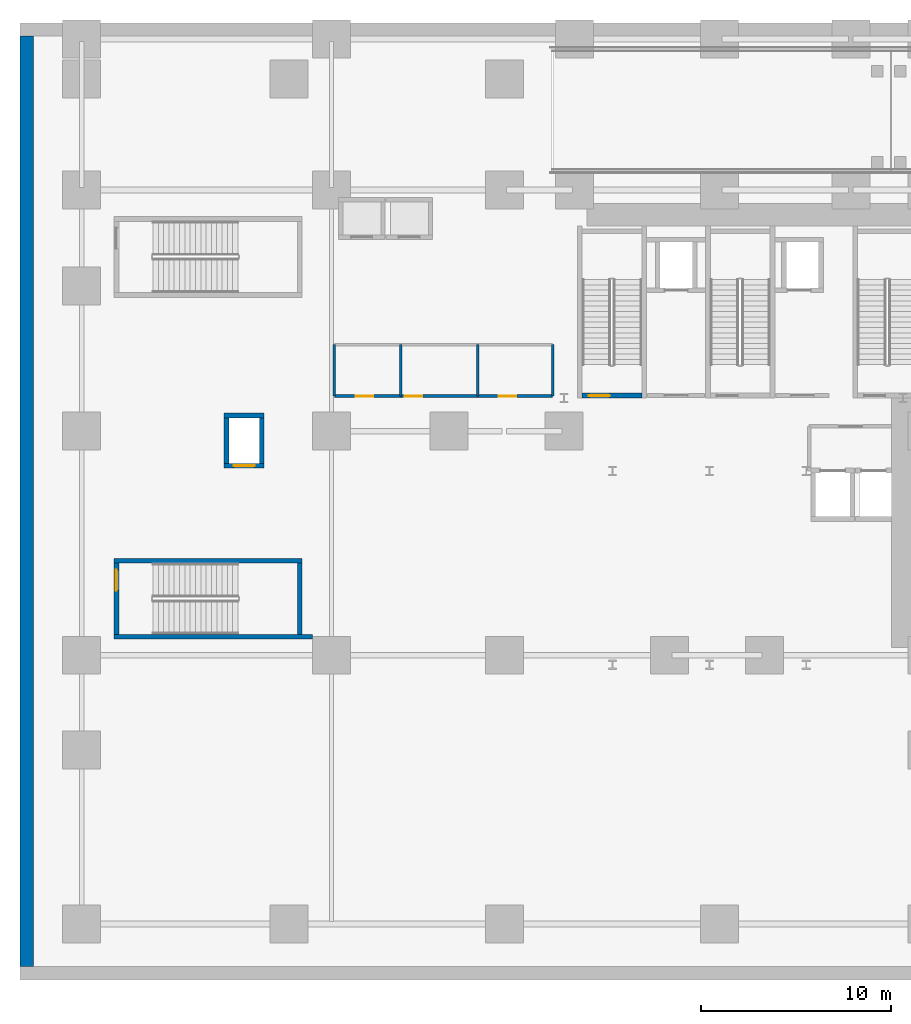
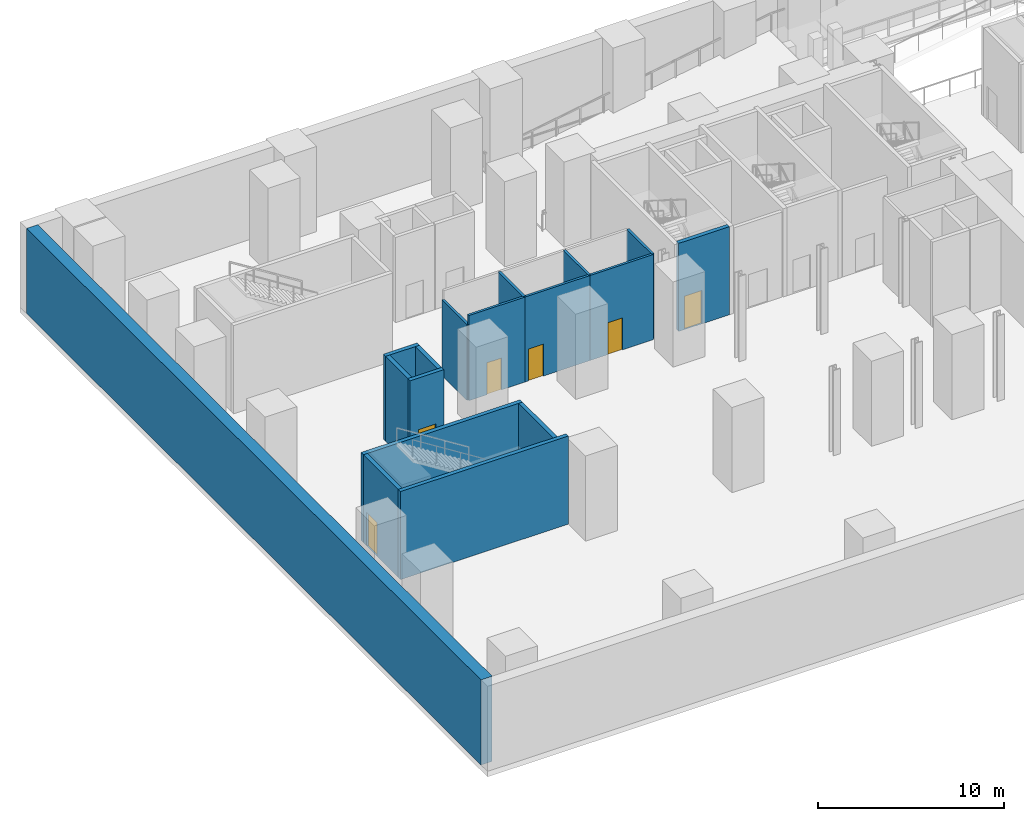
# One storey, part 4 of 16: 17 walls, 6 doors, 6 openings.
"""IFC4 building model written with IfcOpenShell, lengths in metres."""

import ifcopenshell
import ifcopenshell.guid

model = None  # the IFC model being written
_history = None  # IfcOwnerHistory: only IFC2X3 demands one
_inside = {}  # id of a spatial element -> (the spatial element, [elements in it])
_under = {}  # id of a project, library or spatial element -> (it, [spatial elements below it])
_declared = {}  # id of a project -> (the project, [libraries it declares])
_typed = {}  # id of a type object -> (the type object, [elements of that type])
_made_of = {}  # id of a material, layer set ... -> (it, [elements and type objects made of it])


def new_model(schema):
    """Start an empty IFC model of exactly this schema.

    Asked for "IFC4X3", IfcOpenShell would pick the latest addendum, in which some entities
    have other attributes; the version numbers below select the first issue.
    IFC2X3 requires an IfcOwnerHistory on every rooted entity: one is made here for all.
    """
    global model, _history
    if schema == "IFC4X3":
        model = ifcopenshell.file(schema_version=(4, 3, 0, 0))
    else:
        model = ifcopenshell.file(schema=schema)
    _inside.clear()
    _under.clear()
    _declared.clear()
    _typed.clear()
    _made_of.clear()
    _history = None
    if model.schema == "IFC2X3":
        org = make("IfcOrganization", Name="unknown")
        user = make(
            "IfcPersonAndOrganization",
            ThePerson=make("IfcPerson", FamilyName="unknown"),
            TheOrganization=org,
        )
        app = make(
            "IfcApplication",
            ApplicationDeveloper=org,
            Version="unknown",
            ApplicationFullName="unknown",
            ApplicationIdentifier="unknown",
        )
        _history = make(
            "IfcOwnerHistory",
            OwningUser=user,
            OwningApplication=app,
            ChangeAction="ADDED",
            CreationDate=0,
        )
    return model


def make(cls, **values):
    """One entity of the class cls with the attributes given. An attribute that is None is left unset."""
    return model.create_entity(
        cls, **{name: value for name, value in values.items() if value is not None}
    )


def rooted(cls, **values):
    """An entity with a GlobalId (a new one), such as an element, a storey or a relation."""
    return make(cls, GlobalId=ifcopenshell.guid.new(), OwnerHistory=_history, **values)


def si_unit(unit_type, name, prefix=None):
    """IfcSIUnit, for example si_unit("LENGTHUNIT", "METRE", prefix="MILLI")."""
    return make("IfcSIUnit", UnitType=unit_type, Prefix=prefix, Name=name)


def assignment(units):
    """IfcUnitAssignment: the units of a project."""
    return None if units is None else make("IfcUnitAssignment", Units=units)


def point(xyz):
    """IfcCartesianPoint."""
    return None if xyz is None else make("IfcCartesianPoint", Coordinates=xyz)


def direction(xyz):
    """IfcDirection."""
    return None if xyz is None else make("IfcDirection", DirectionRatios=xyz)


def frame(location, z_axis=None, x_axis=None):
    """IfcAxis2Placement3D, a coordinate frame: its origin and axes. An axis left out is left unset."""
    return make(
        "IfcAxis2Placement3D",
        Location=point(location),
        Axis=direction(z_axis),
        RefDirection=direction(x_axis),
    )


def frame_2d(location, x_axis=None):
    """IfcAxis2Placement2D, a coordinate frame in the plane: its origin and x axis."""
    return make(
        "IfcAxis2Placement2D", Location=point(location), RefDirection=direction(x_axis)
    )


def origin():
    """The frame at (0, 0, 0) with its axes left unset."""
    return frame((0.0, 0.0, 0.0))


def place(relative_to, where):
    """IfcLocalPlacement: puts the frame where relative to a parent placement (None: the world)."""
    return make(
        "IfcLocalPlacement", PlacementRelTo=relative_to, RelativePlacement=where
    )


def context(
    kind, dimensions, precision=None, world=None, true_north=None, identifier=None
):
    """IfcGeometricRepresentationContext, for example the 3D "Model" context."""
    return make(
        "IfcGeometricRepresentationContext",
        ContextIdentifier=identifier,
        ContextType=kind,
        CoordinateSpaceDimension=dimensions,
        Precision=precision,
        WorldCoordinateSystem=world,
        TrueNorth=true_north,
    )


def subcontext(parent, identifier, kind, view, scale=None):
    """IfcGeometricRepresentationSubContext, for example "Body" below "Model"."""
    return make(
        "IfcGeometricRepresentationSubContext",
        ContextIdentifier=identifier,
        ContextType=kind,
        ParentContext=parent,
        TargetScale=scale,
        TargetView=view,
    )


def project(units=None, contexts=None):
    """IfcProject with its units and contexts."""
    return rooted(
        "IfcProject",
        Name="project",
        RepresentationContexts=contexts,
        UnitsInContext=assignment(units),
    )


def spatial(cls, under=None, at=None, **own):
    """A site, building, storey or space (cls), placed at a placement, below another one or the project."""
    s = rooted(cls, ObjectPlacement=at, **own)
    if under is not None:
        _under.setdefault(under.id(), (under, []))[1].append(s)
    return s


def profile(cls, at=None, kind="AREA", **sizes):
    """A parametric profile (cls). Its sizes go by their IFC names, for example OverallWidth=200.0."""
    return make(cls, ProfileType=kind, Position=at, **sizes)


def rectangle(**sizes):
    """IfcRectangleProfileDef."""
    return profile("IfcRectangleProfileDef", **sizes)


def extrude(swept, where, along, depth):
    """IfcExtrudedAreaSolid: the profile swept, set in the frame where, extruded along a direction by depth."""
    return make(
        "IfcExtrudedAreaSolid",
        SweptArea=swept,
        Position=where,
        ExtrudedDirection=direction(along),
        Depth=depth,
    )


def shape(context_of_items, identifier, shape_type, items):
    """IfcShapeRepresentation: the items that make up one representation, for example the "Body"."""
    return make(
        "IfcShapeRepresentation",
        ContextOfItems=context_of_items,
        RepresentationIdentifier=identifier,
        RepresentationType=shape_type,
        Items=items,
    )


def source(mapping_origin, context_of_items, identifier, shape_type, items):
    """IfcRepresentationMap: a shape defined once, which mapped items show again and again."""
    return make(
        "IfcRepresentationMap",
        MappingOrigin=mapping_origin,
        MappedRepresentation=shape(context_of_items, identifier, shape_type, items),
    )


def transform(
    local_origin,
    x_axis=None,
    y_axis=None,
    z_axis=None,
    scale=None,
    scale2=None,
    scale3=None,
    uniform=True,
):
    """IfcCartesianTransformationOperator3D, or its non-uniform kind. x_axis, y_axis, z_axis: its Axis1, 2, 3."""
    if uniform:
        return make(
            "IfcCartesianTransformationOperator3D",
            Axis1=direction(x_axis),
            Axis2=direction(y_axis),
            LocalOrigin=point(local_origin),
            Scale=scale,
            Axis3=direction(z_axis),
        )
    return make(
        "IfcCartesianTransformationOperator3DnonUniform",
        Axis1=direction(x_axis),
        Axis2=direction(y_axis),
        LocalOrigin=point(local_origin),
        Scale=scale,
        Axis3=direction(z_axis),
        Scale2=scale2,
        Scale3=scale3,
    )


def mapped(mapping_source, mapping_target):
    """IfcMappedItem: shows the shape of a source again, moved by a transform."""
    return make(
        "IfcMappedItem", MappingSource=mapping_source, MappingTarget=mapping_target
    )


def material(Name=None, Category=None):
    """IfcMaterial."""
    return make("IfcMaterial", Name=Name, Category=Category)


def layer(
    of_material, thickness, ventilated=None, Name=None, Category=None, Priority=None
):
    """IfcMaterialLayer: one layer of a wall or slab, of a material (None: an air gap)."""
    return make(
        "IfcMaterialLayer",
        Material=of_material,
        LayerThickness=thickness,
        IsVentilated=ventilated,
        Name=Name,
        Category=Category,
        Priority=Priority,
    )


def layer_set(layers, Name=None):
    """IfcMaterialLayerSet."""
    return make("IfcMaterialLayerSet", MaterialLayers=layers, LayerSetName=Name)


def made_of(thing, what):
    """Note that an element or type object is made of a material, layer set ...; save() writes the relation."""
    if what is not None:
        _made_of.setdefault(what.id(), (what, []))[1].append(thing)
    return thing


def type_object(cls, material=None, **own):
    """A type object (cls), such as IfcWallType, which elements share."""
    return made_of(rooted(cls, **own), material)


def element(
    cls,
    number,
    at=None,
    inside=None,
    cuts=None,
    type_object=None,
    material=None,
    context=None,
    identifier="Body",
    shape_type=None,
    held_by="IfcProductDefinitionShape",
    body=None,
    shapes=None,
    **own,
):
    """One element of the class cls, such as IfcWall. Its Tag is "e" and its number.

    at: its placement. inside: the storey or other place that contains it. cuts: it is an
    opening in that element (IfcRelVoidsElement). A single representation is given by context,
    identifier, shape_type and body (its items); several are given by shapes. held_by: the class
    of the entity that holds the representations. save() writes the other relations.
    """
    e = rooted(cls, Tag="e%d" % number, ObjectPlacement=at, **own)
    if body is not None:
        shapes = [shape(context, identifier, shape_type, body)]
    if shapes is not None:
        e.Representation = make(held_by, Representations=shapes)
    if inside is not None:
        _inside.setdefault(inside.id(), (inside, []))[1].append(e)
    if cuts is not None:
        rooted(
            "IfcRelVoidsElement", RelatingBuildingElement=cuts, RelatedOpeningElement=e
        )
    if type_object is not None:
        _typed.setdefault(type_object.id(), (type_object, []))[1].append(e)
    return made_of(e, material)


def fill(opening, filler):
    """IfcRelFillsElement: the door or window that sits in an opening."""
    return rooted(
        "IfcRelFillsElement",
        RelatingOpeningElement=opening,
        RelatedBuildingElement=filler,
    )


def aggregate(whole, parts):
    """IfcRelAggregates: a whole, such as a stair, and the parts it consists of."""
    return rooted("IfcRelAggregates", RelatingObject=whole, RelatedObjects=parts)


def save(model, path):
    """Write the relations noted so far, then the file.

    IfcRelAggregates (storeys below a building ...), IfcRelContainedInSpatialStructure (elements
    in a storey), IfcRelDefinesByType, IfcRelAssociatesMaterial and IfcRelDeclares: one each for
    every whole, place, type object, material and project.
    """
    for whole, parts in _under.values():
        aggregate(whole, parts)
    for where, things in _inside.values():
        rooted(
            "IfcRelContainedInSpatialStructure",
            RelatedElements=things,
            RelatingStructure=where,
        )
    for kind, things in _typed.values():
        rooted("IfcRelDefinesByType", RelatedObjects=things, RelatingType=kind)
    for what, things in _made_of.values():
        rooted("IfcRelAssociatesMaterial", RelatedObjects=things, RelatingMaterial=what)
    for by, libraries in _declared.values():
        rooted("IfcRelDeclares", RelatingContext=by, RelatedDefinitions=libraries)
    model.write(path)


model = new_model("IFC4")

# Units and contexts
model_context = context("Model", 3, precision=1e-05, world=origin(), true_north=direction((0.0, 1.0)))
body_context = subcontext(model_context, "Body", "Model", "MODEL_VIEW")
ifc_project = project(units=[si_unit("LENGTHUNIT", "METRE"), si_unit("AREAUNIT", "SQUARE_METRE"), si_unit("VOLUMEUNIT", "CUBIC_METRE"), si_unit("PLANEANGLEUNIT", "RADIAN"), si_unit("MASSUNIT", "GRAM", prefix="KILO")], contexts=[model_context])

# Site, building, storey
site_placement = place(None, origin())
site = spatial("IfcSite", under=ifc_project, at=site_placement, CompositionType="ELEMENT")
building_placement = place(site_placement, origin())
building = spatial("IfcBuilding", under=site, at=building_placement, Name="Vardaveli Station Tower", CompositionType="ELEMENT")
storey_placement = place(building_placement, frame((0.0, 0.0, -6.0)))
storey = spatial("IfcBuildingStorey", under=building, at=storey_placement, Name="B01", CompositionType="ELEMENT", Elevation=-6.0)

# Wall
ifc_material_1 = material(Name="Concrete C40/50", Category="concrete")
ifc_layer_1 = layer(ifc_material_1, 0.699951171875, Name="Concrete C40/50")
ifc_layer_set_1 = layer_set([ifc_layer_1], Name="Concrete C40/50")
wall_type_1 = type_object("IfcWallType", Name="WAL-RET-700", PredefinedType="SOLIDWALL", material=ifc_layer_set_1)
shared_shape_1 = source(origin(), body_context, "Body", "SweptSolid", [
    extrude(rectangle(XDim=49.0, YDim=0.699951171875, at=frame_2d((24.5, 0.0))), origin(), (0.0, 0.0, 1.0), 5.60009765625),
])
wall_1_placement = place(storey_placement, frame((0.35009765625, 0.699951171875, 0.0), z_axis=(0.0, 0.0, 1.0), x_axis=(0.0, 1.0, 0.0)))
element("IfcWall", 1, at=wall_1_placement, inside=storey, type_object=wall_type_1, Name="BW-B01-W", PredefinedType="SOLIDWALL", context=body_context, shape_type="MappedRepresentation", body=[
    mapped(shared_shape_1, transform((0.0, 0.0, 0.0), scale=1.0)),
])

# Wall, opening, door
ifc_layer_2 = layer(ifc_material_1, 0.25, Name="Concrete C40/50")
ifc_layer_set_2 = layer_set([ifc_layer_2], Name="Concrete C40/50")
wall_type_2 = type_object("IfcWallType", Name="WAL-SHAFT-250", PredefinedType="SOLIDWALL", material=ifc_layer_set_2)
shared_shape_2 = source(origin(), body_context, "Body", "SweptSolid", [
    extrude(rectangle(XDim=3.14990234375, YDim=0.25, at=frame_2d((1.574951171875, 0.0))), origin(), (0.0, 0.0, 1.0), 5.800048828125),
])
wall_2_placement = place(storey_placement, frame((29.60009765625, 30.77490234375, 0.0), z_axis=(0.0, 0.0, 1.0), x_axis=(1.0, 0.0, 0.0)))
wall_2 = element("IfcWall", 2, at=wall_2_placement, inside=storey, type_object=wall_type_2, Name="W-B01-ST-1S", PredefinedType="SOLIDWALL", context=body_context, shape_type="MappedRepresentation", body=[
    mapped(shared_shape_2, transform((0.0, 0.0, 0.0), scale=1.0)),
])
shared_shape_3 = source(origin(), body_context, "Body", "SweptSolid", [
    extrude(rectangle(XDim=1.10009765625, YDim=2.199951171875, at=frame_2d((0.550048828125, 1.10009765625))), frame((0.0, 0.135009765625, 0.0), z_axis=(0.0, -1.0, 0.0), x_axis=(1.0, 0.0, 0.0)), (0.0, 0.0, 1.0), 0.27001953125),
])
opening_1_placement = place(wall_2_placement, frame((0.35009765625, 0.0, 0.0)))
opening_1 = element("IfcOpeningElement", 3, at=opening_1_placement, cuts=wall_2, Name="Opening D-04", PredefinedType="OPENING", context=body_context, shape_type="MappedRepresentation", body=[
    mapped(shared_shape_3, transform((0.0, 0.0, 0.0), scale=1.0)),
])
ifc_material_2 = material(Name="Steel smokeproof fire doorset", Category="steel")
door_type_1 = type_object("IfcDoorType", Name="DR-ST-1100x2200", OperationType="NOTDEFINED", PredefinedType="DOOR", material=ifc_material_2)
shared_shape_4 = source(origin(), body_context, "Body", "SweptSolid", [
    extrude(rectangle(XDim=1.10009765625, YDim=2.199951171875, at=frame_2d((0.550048828125, 1.10009765625))), frame((0.0, 0.02490234375, 0.0), z_axis=(0.0, -1.0, 0.0), x_axis=(1.0, 0.0, 0.0)), (0.0, 0.0, 1.0), 0.050048828125),
])
door_1_placement = place(opening_1_placement, origin())
door_1 = element("IfcDoor", 4, at=door_1_placement, inside=storey, type_object=door_type_1, Name="DST-1-B01", OperationType="SINGLE_SWING_LEFT", OverallHeight=2.199951171875, OverallWidth=1.10009765625, PredefinedType="DOOR", context=body_context, shape_type="MappedRepresentation", body=[
    mapped(shared_shape_4, transform((0.0, 0.0, 0.0), scale=1.0)),
])
fill(opening_1, door_1)

# Walls
shared_shape_5 = source(origin(), body_context, "Body", "SweptSolid", [
    extrude(rectangle(XDim=10.449951171875, YDim=0.25, at=frame_2d((5.22509765625, 0.0))), origin(), (0.0, 0.0, 1.0), 5.800048828125),
])
wall_3_placement = place(storey_placement, frame((4.949951171875, 18.074951171875, 0.0), z_axis=(0.0, 0.0, 1.0), x_axis=(1.0, 0.0, 0.0)))
element("IfcWall", 5, at=wall_3_placement, inside=storey, type_object=wall_type_2, Name="W-B01-ST-S1S", PredefinedType="SOLIDWALL", context=body_context, shape_type="MappedRepresentation", body=[
    mapped(shared_shape_5, transform((0.0, 0.0, 0.0), scale=1.0)),
])
shared_shape_6 = source(origin(), body_context, "Body", "SweptSolid", [
    extrude(rectangle(XDim=9.900146484375, YDim=0.25, at=frame_2d((4.9501953125, 0.0))), origin(), (0.0, 0.0, 1.0), 5.800048828125),
])
wall_4_placement = place(storey_placement, frame((4.949951171875, 22.074951171875, 0.0), z_axis=(0.0, 0.0, 1.0), x_axis=(1.0, 0.0, 0.0)))
element("IfcWall", 6, at=wall_4_placement, inside=storey, type_object=wall_type_2, Name="W-B01-ST-S1N", PredefinedType="SOLIDWALL", context=body_context, shape_type="MappedRepresentation", body=[
    mapped(shared_shape_6, transform((0.0, 0.0, 0.0), scale=1.0)),
])
shared_shape_7 = source(origin(), body_context, "Body", "SweptSolid", [
    extrude(rectangle(XDim=3.75, YDim=0.25, at=frame_2d((1.875, 0.0))), origin(), (0.0, 0.0, 1.0), 5.800048828125),
])
wall_5_placement = place(storey_placement, frame((14.72509765625, 18.199951171875, 0.0), z_axis=(0.0, 0.0, 1.0), x_axis=(0.0, 1.0, 0.0)))
element("IfcWall", 7, at=wall_5_placement, inside=storey, type_object=wall_type_2, Name="W-B01-ST-S1E", PredefinedType="SOLIDWALL", context=body_context, shape_type="MappedRepresentation", body=[
    mapped(shared_shape_7, transform((0.0, 0.0, 0.0), scale=1.0)),
])

# Wall, opening, door
wall_6_placement = place(storey_placement, frame((5.074951171875, 18.199951171875, 0.0), z_axis=(0.0, 0.0, 1.0), x_axis=(0.0, 1.0, 0.0)))
wall_6 = element("IfcWall", 8, at=wall_6_placement, inside=storey, type_object=wall_type_2, Name="W-B01-ST-S1W", PredefinedType="SOLIDWALL", context=body_context, shape_type="MappedRepresentation", body=[
    mapped(shared_shape_7, transform((0.0, 0.0, 0.0), scale=1.0)),
])
opening_2_placement = place(wall_6_placement, frame((2.300048828125, 0.0, 0.0)))
opening_2 = element("IfcOpeningElement", 9, at=opening_2_placement, cuts=wall_6, Name="Opening D-04", PredefinedType="OPENING", context=body_context, shape_type="MappedRepresentation", body=[
    mapped(shared_shape_3, transform((0.0, 0.0, 0.0), scale=1.0)),
])
door_2_placement = place(opening_2_placement, origin())
door_2 = element("IfcDoor", 10, at=door_2_placement, inside=storey, type_object=door_type_1, Name="DST-S1-B01", OperationType="SINGLE_SWING_RIGHT", OverallHeight=2.199951171875, OverallWidth=1.10009765625, PredefinedType="DOOR", context=body_context, shape_type="MappedRepresentation", body=[
    mapped(shared_shape_4, transform((0.0, 0.0, 0.0), scale=1.0)),
])
fill(opening_2, door_2)

shared_shape_8 = source(origin(), body_context, "Body", "SweptSolid", [
    extrude(rectangle(XDim=2.10009765625, YDim=0.25, at=frame_2d((1.050048828125, 0.0))), origin(), (0.0, 0.0, 1.0), 5.60009765625),
])
wall_7_placement = place(storey_placement, frame((10.75, 27.074951171875, 0.0), z_axis=(0.0, 0.0, 1.0), x_axis=(1.0, 0.0, 0.0)))
wall_7 = element("IfcWall", 11, at=wall_7_placement, inside=storey, type_object=wall_type_2, Name="SHW-STN-01-B01-S", PredefinedType="SOLIDWALL", context=body_context, shape_type="MappedRepresentation", body=[
    mapped(shared_shape_8, transform((0.0, 0.0, 0.0), scale=1.0)),
])
opening_3_placement = place(wall_7_placement, frame((0.5, 0.0, 0.0)))
opening_3 = element("IfcOpeningElement", 12, at=opening_3_placement, cuts=wall_7, Name="Opening LD-01", PredefinedType="OPENING", context=body_context, shape_type="MappedRepresentation", body=[
    mapped(shared_shape_3, transform((0.0, 0.0, 0.0), scale=1.0)),
])
ifc_material_3 = material(Name="Brushed stainless steel", Category="steel")
door_type_2 = type_object("IfcDoorType", Name="DR-LD-1100x2200", OperationType="DOUBLE_DOOR_SLIDING", PredefinedType="DOOR", material=ifc_material_3)
door_3_placement = place(opening_3_placement, origin())
door_3 = element("IfcDoor", 13, at=door_3_placement, inside=storey, type_object=door_type_2, Name="LD-STN-01-B01", OperationType="DOUBLE_DOOR_SLIDING", OverallHeight=2.199951171875, OverallWidth=1.10009765625, PredefinedType="DOOR", context=body_context, shape_type="MappedRepresentation", body=[
    mapped(shared_shape_4, transform((0.0, 0.0, 0.0), scale=1.0)),
])
fill(opening_3, door_3)

# Walls
wall_8_placement = place(storey_placement, frame((10.75, 29.72509765625, 0.0), z_axis=(0.0, 0.0, 1.0), x_axis=(1.0, 0.0, 0.0)))
element("IfcWall", 14, at=wall_8_placement, inside=storey, type_object=wall_type_2, Name="SHW-STN-01-B01-N", PredefinedType="SOLIDWALL", context=body_context, shape_type="MappedRepresentation", body=[
    mapped(shared_shape_8, transform((0.0, 0.0, 0.0), scale=1.0)),
])
shared_shape_9 = source(origin(), body_context, "Body", "SweptSolid", [
    extrude(rectangle(XDim=2.400146484375, YDim=0.25, at=frame_2d((1.2001953125, 0.0))), origin(), (0.0, 0.0, 1.0), 5.60009765625),
])
for number, where, z_axis, x_axis, name in (
    (15, (10.875, 27.199951171875, 0.0), (0.0, 0.0, 1.0), (0.0, 1.0, 0.0), "SHW-STN-01-B01-W"),
    (16, (12.72509765625, 27.199951171875, 0.0), (0.0, 0.0, 1.0), (0.0, 1.0, 0.0), "SHW-STN-01-B01-E"),
):
    element("IfcWall", number, at=place(storey_placement, frame(where, z_axis=z_axis, x_axis=x_axis)), inside=storey, type_object=wall_type_2, Name=name, PredefinedType="SOLIDWALL", context=body_context, shape_type="MappedRepresentation", body=[
        mapped(shared_shape_9, transform((0.0, 0.0, 0.0), scale=1.0)),
    ])

# Wall, opening, door
ifc_material_4 = material(Name="Moisture-resistant stud partition")
ifc_layer_3 = layer(ifc_material_4, 0.14990234375, Name="Moisture-resistant stud partition")
ifc_layer_set_3 = layer_set([ifc_layer_3], Name="Moisture-resistant stud partition")
wall_type_3 = type_object("IfcWallType", Name="WAL-WET-150", PredefinedType="PARTITIONING", material=ifc_layer_set_3)
shared_shape_10 = source(origin(), body_context, "Body", "SweptSolid", [
    extrude(rectangle(XDim=4.050048828125, YDim=0.14990234375, at=frame_2d((2.02490234375, 0.0))), origin(), (0.0, 0.0, 1.0), 5.60009765625),
])
wall_9_placement = place(storey_placement, frame((20.050048828125, 30.75, 0.0), z_axis=(0.0, 0.0, 1.0), x_axis=(1.0, 0.0, 0.0)))
wall_9 = element("IfcWall", 17, at=wall_9_placement, inside=storey, type_object=wall_type_3, Name="W-B01-WCM-S", PredefinedType="PARTITIONING", context=body_context, shape_type="MappedRepresentation", body=[
    mapped(shared_shape_10, transform((0.0, 0.0, 0.0), scale=1.0)),
])
shared_shape_11 = source(origin(), body_context, "Body", "SweptSolid", [
    extrude(rectangle(XDim=0.919921875, YDim=2.10009765625, at=frame_2d((0.4599609375, 1.050048828125))), frame((0.0, 0.0849609375, 0.0), z_axis=(0.0, -1.0, 0.0), x_axis=(1.0, 0.0, 0.0)), (0.0, 0.0, 1.0), 0.169921875),
])
opening_4_placement = place(wall_9_placement, frame((0.219970703125, 0.0, 0.0)))
opening_4 = element("IfcOpeningElement", 18, at=opening_4_placement, cuts=wall_9, Name="Opening D-07", PredefinedType="OPENING", context=body_context, shape_type="MappedRepresentation", body=[
    mapped(shared_shape_11, transform((0.0, 0.0, 0.0), scale=1.0)),
])
ifc_material_5 = material(Name="Moisture-resistant hardwood door", Category="wood")
door_type_3 = type_object("IfcDoorType", Name="DR-WC-920x2100", OperationType="NOTDEFINED", PredefinedType="DOOR", material=ifc_material_5)
shared_shape_12 = source(origin(), body_context, "Body", "SweptSolid", [
    extrude(rectangle(XDim=0.919921875, YDim=2.10009765625, at=frame_2d((0.4599609375, 1.050048828125))), frame((0.0, 0.02490234375, 0.0), z_axis=(0.0, -1.0, 0.0), x_axis=(1.0, 0.0, 0.0)), (0.0, 0.0, 1.0), 0.050048828125),
])
door_4_placement = place(opening_4_placement, origin())
door_4 = element("IfcDoor", 19, at=door_4_placement, inside=storey, type_object=door_type_3, Name="D-B01-WCM", OperationType="SINGLE_SWING_RIGHT", OverallHeight=2.10009765625, OverallWidth=0.919921875, PredefinedType="DOOR", context=body_context, shape_type="MappedRepresentation", body=[
    mapped(shared_shape_12, transform((0.0, 0.0, 0.0), scale=1.0)),
])
fill(opening_4, door_4)

shared_shape_13 = source(origin(), body_context, "Body", "SweptSolid", [
    extrude(rectangle(XDim=3.949951171875, YDim=0.14990234375, at=frame_2d((1.97509765625, 0.0))), origin(), (0.0, 0.0, 1.0), 5.60009765625),
])
wall_10_placement = place(storey_placement, frame((24.10009765625, 30.75, 0.0), z_axis=(0.0, 0.0, 1.0), x_axis=(1.0, 0.0, 0.0)))
wall_10 = element("IfcWall", 20, at=wall_10_placement, inside=storey, type_object=wall_type_3, Name="W-B01-WCF-S", PredefinedType="PARTITIONING", context=body_context, shape_type="MappedRepresentation", body=[
    mapped(shared_shape_13, transform((0.0, 0.0, 0.0), scale=1.0)),
])
opening_5_placement = place(wall_10_placement, frame((1.10009765625, 0.0, 0.0)))
opening_5 = element("IfcOpeningElement", 21, at=opening_5_placement, cuts=wall_10, Name="Opening D-07", PredefinedType="OPENING", context=body_context, shape_type="MappedRepresentation", body=[
    mapped(shared_shape_11, transform((0.0, 0.0, 0.0), scale=1.0)),
])
door_5_placement = place(opening_5_placement, origin())
door_5 = element("IfcDoor", 22, at=door_5_placement, inside=storey, type_object=door_type_3, Name="D-B01-WCF", OperationType="SINGLE_SWING_LEFT", OverallHeight=2.10009765625, OverallWidth=0.919921875, PredefinedType="DOOR", context=body_context, shape_type="MappedRepresentation", body=[
    mapped(shared_shape_12, transform((0.0, 0.0, 0.0), scale=1.0)),
])
fill(opening_5, door_5)

shared_shape_14 = source(origin(), body_context, "Body", "SweptSolid", [
    extrude(rectangle(XDim=3.5, YDim=0.14990234375, at=frame_2d((1.75, 0.0))), origin(), (0.0, 0.0, 1.0), 5.60009765625),
])
wall_11_placement = place(storey_placement, frame((16.550048828125, 30.75, 0.0), z_axis=(0.0, 0.0, 1.0), x_axis=(1.0, 0.0, 0.0)))
wall_11 = element("IfcWall", 23, at=wall_11_placement, inside=storey, type_object=wall_type_3, Name="W-B01-WCA-S", PredefinedType="PARTITIONING", context=body_context, shape_type="MappedRepresentation", body=[
    mapped(shared_shape_14, transform((0.0, 0.0, 0.0), scale=1.0)),
])
opening_6_placement = place(wall_11_placement, frame((1.1201171875, 0.0, 0.0)))
opening_6 = element("IfcOpeningElement", 24, at=opening_6_placement, cuts=wall_11, Name="Opening D-07", PredefinedType="OPENING", context=body_context, shape_type="MappedRepresentation", body=[
    mapped(shared_shape_11, transform((0.0, 0.0, 0.0), scale=1.0)),
])
door_6_placement = place(opening_6_placement, origin())
door_6 = element("IfcDoor", 25, at=door_6_placement, inside=storey, type_object=door_type_3, Name="D-B01-WCA", OperationType="SINGLE_SWING_RIGHT", OverallHeight=2.10009765625, OverallWidth=0.919921875, PredefinedType="DOOR", context=body_context, shape_type="MappedRepresentation", body=[
    mapped(shared_shape_12, transform((0.0, 0.0, 0.0), scale=1.0)),
])
fill(opening_6, door_6)

# Walls
shared_shape_15 = source(origin(), body_context, "Body", "SweptSolid", [
    extrude(rectangle(XDim=2.699951171875, YDim=0.14990234375, at=frame_2d((1.35009765625, 0.0))), origin(), (0.0, 0.0, 1.0), 4.991943359375),
])
wall_12_placement = place(storey_placement, frame((16.550048828125, 30.75, 0.0), z_axis=(0.0, 0.0, 1.0), x_axis=(0.0, 1.0, 0.0)))
element("IfcWall", 26, at=wall_12_placement, inside=storey, type_object=wall_type_3, Name="W-B01-WCA-W", PredefinedType="PARTITIONING", context=body_context, shape_type="MappedRepresentation", body=[
    mapped(shared_shape_15, transform((0.0, 0.0, 0.0), scale=1.0)),
])
shared_shape_16 = source(origin(), body_context, "Body", "SweptSolid", [
    extrude(rectangle(XDim=2.699951171875, YDim=0.14990234375, at=frame_2d((1.35009765625, 0.0))), origin(), (0.0, 0.0, 1.0), 5.60009765625),
])
for number, where, z_axis, x_axis, name in (
    (27, (20.050048828125, 30.75, 0.0), (0.0, 0.0, 1.0), (0.0, 1.0, 0.0), "W-B01-WCA-E"),
    (28, (24.10009765625, 30.75, 0.0), (0.0, 0.0, 1.0), (0.0, 1.0, 0.0), "W-B01-WCM-E"),
    (29, (28.050048828125, 30.75, 0.0), (0.0, 0.0, 1.0), (0.0, 1.0, 0.0), "W-B01-WCF-E"),
):
    element("IfcWall", number, at=place(storey_placement, frame(where, z_axis=z_axis, x_axis=x_axis)), inside=storey, type_object=wall_type_3, Name=name, PredefinedType="PARTITIONING", context=body_context, shape_type="MappedRepresentation", body=[
        mapped(shared_shape_16, transform((0.0, 0.0, 0.0), scale=1.0)),
    ])

save(model, "model.ifc")
